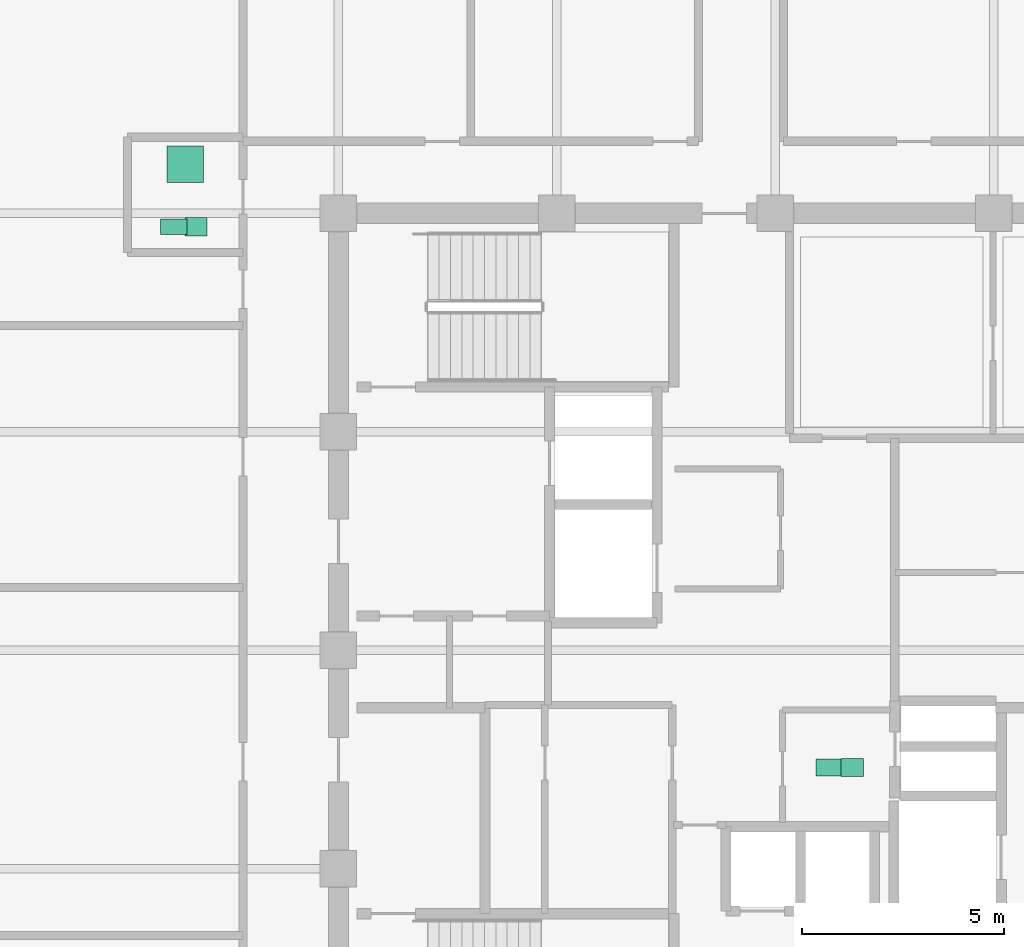
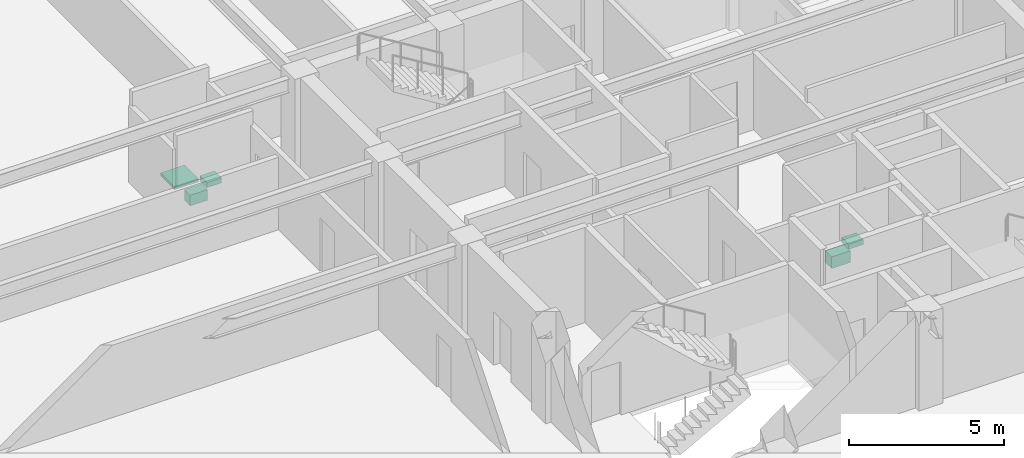
# One storey, part 30 of 30: 5 sanitary terminals.
"""IFC4 building model written with IfcOpenShell, lengths in metres."""

from ifc_helpers import new_model, si_unit, direction, frame, origin, origin_2d, place, context, subcontext, project, spatial, rectangle, extrude, material, type_object, element, save


model = new_model("IFC4")

# Units and contexts
model_context = context("Model", 3, precision=1e-05, world=origin(), true_north=direction((0.0, 1.0)))
body_context = subcontext(model_context, "Body", "Model", "MODEL_VIEW")
ifc_project = project(units=[si_unit("LENGTHUNIT", "METRE"), si_unit("AREAUNIT", "SQUARE_METRE"), si_unit("VOLUMEUNIT", "CUBIC_METRE"), si_unit("PLANEANGLEUNIT", "RADIAN"), si_unit("MASSUNIT", "GRAM", prefix="KILO")], contexts=[model_context])

# Site, building, storey
site_placement = place(None, origin())
site = spatial("IfcSite", under=ifc_project, at=site_placement, CompositionType="ELEMENT")
building_placement = place(site_placement, origin())
building = spatial("IfcBuilding", under=site, at=building_placement, Name="Surkhivell Harbour Commons", CompositionType="ELEMENT")
storey_placement = place(building_placement, frame((0.0, 0.0, 303.75)))
storey = spatial("IfcBuildingStorey", under=building, at=storey_placement, Name="L79", CompositionType="ELEMENT", Elevation=303.75)

# Sanitary terminals
ifc_material_1 = material(Name="Vitreous china washbasin", Category="other")
sanitary_terminal_type_1 = type_object("IfcSanitaryTerminalType", Name="SAN-BSN", PredefinedType="WASHHANDBASIN", material=ifc_material_1)
for number, where, z_axis, x_axis, name in (
    (1, (1.89990234375, -2.89990234375, 0.72021484375), (0.0, 0.0, 1.0), (1.0, 0.0, 0.0), "L79 Core Accessible WC Washbasin"),
    (2, (-14.320068359375, 10.469970703125, 0.72021484375), (0.0, 0.0, 1.0), (1.0, 0.0, 0.0), "L79 West Communal Bathroom WC Washbasin"),
):
    element("IfcSanitaryTerminal", number, at=place(storey_placement, frame(where, z_axis=z_axis, x_axis=x_axis)), inside=storey, type_object=sanitary_terminal_type_1, Name=name, PredefinedType="WASHHANDBASIN", context=body_context, shape_type="SweptSolid", body=[
        extrude(rectangle(XDim=0.550048828125, YDim=0.449951171875, at=origin_2d()), origin(), (0.0, 0.0, 1.0), 0.199951171875),
    ])
ifc_material_2 = material(Name="Glazed porcelain shower tray", Category="other")
sanitary_terminal_type_2 = type_object("IfcSanitaryTerminalType", Name="SAN-SHW", PredefinedType="SHOWER", material=ifc_material_2)
sanitary_terminal_1_placement = place(storey_placement, frame((-14.590087890625, 12.010009765625, 0.0), z_axis=(0.0, 0.0, 1.0), x_axis=(1.0, 0.0, 0.0)))
element("IfcSanitaryTerminal", 3, at=sanitary_terminal_1_placement, inside=storey, type_object=sanitary_terminal_type_2, Name="L79 West Communal Shower Tray", PredefinedType="SHOWER", context=body_context, shape_type="SweptSolid", body=[
    extrude(rectangle(XDim=0.89990234375, YDim=0.89990234375, at=origin_2d()), origin(), (0.0, 0.0, 1.0), 0.1201171875),
])
ifc_material_3 = material(Name="Vitreous china sanitaryware", Category="other")
sanitary_terminal_type_3 = type_object("IfcSanitaryTerminalType", Name="SAN-WC-ACC", PredefinedType="TOILETPAN", material=ifc_material_3)
sanitary_terminal_2_placement = place(storey_placement, frame((1.35009765625, -2.89990234375, 0.169921875), z_axis=(0.0, 0.0, 1.0), x_axis=(1.0, 0.0, 0.0)))
element("IfcSanitaryTerminal", 4, at=sanitary_terminal_2_placement, inside=storey, type_object=sanitary_terminal_type_3, Name="L79 Core Accessible WC", PredefinedType="TOILETPAN", context=body_context, shape_type="SweptSolid", body=[
    extrude(rectangle(XDim=0.699951171875, YDim=0.419921875, at=origin_2d()), origin(), (0.0, 0.0, 1.0), 0.4599609375),
])
sanitary_terminal_type_4 = type_object("IfcSanitaryTerminalType", Name="SAN-WC-STD", PredefinedType="TOILETPAN", material=ifc_material_3)
sanitary_terminal_3_placement = place(storey_placement, frame((-14.8701171875, 10.469970703125, 0.18994140625), z_axis=(0.0, 0.0, 1.0), x_axis=(1.0, 0.0, 0.0)))
element("IfcSanitaryTerminal", 5, at=sanitary_terminal_3_placement, inside=storey, type_object=sanitary_terminal_type_4, Name="L79 West Communal Bathroom WC", PredefinedType="TOILETPAN", context=body_context, shape_type="SweptSolid", body=[
    extrude(rectangle(XDim=0.64990234375, YDim=0.3798828125, at=origin_2d()), origin(), (0.0, 0.0, 1.0), 0.419921875),
])

save(model, "model.ifc")
